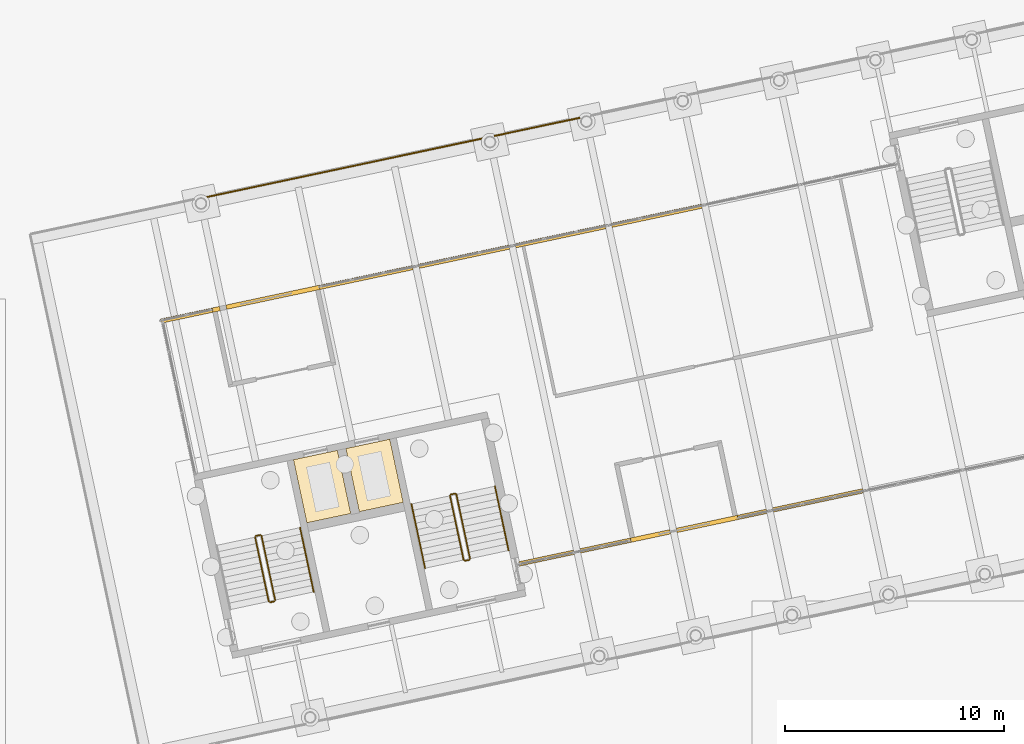
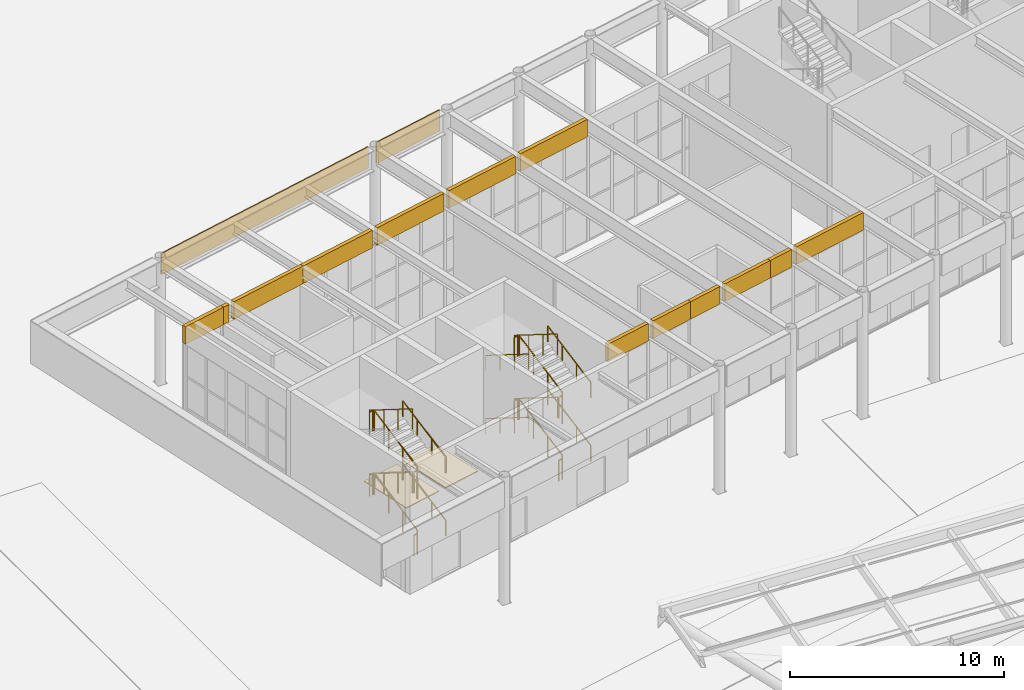
# One storey, part 204 of 239: 22 railings, 17 coverings.
"""IFC4 building model written with IfcOpenShell, lengths in metres."""

from ifc_helpers import new_model, si_unit, direction, frame, origin, origin_2d, place, context, subcontext, project, spatial, polyline, rectangle, circle, outline, extrude, material, layer, layer_set, type_object, element, save


model = new_model("IFC4")

# Units and contexts
model_context = context("Model", 3, precision=1e-05, world=origin(), true_north=direction((0.0, 1.0)))
body_context = subcontext(model_context, "Body", "Model", "MODEL_VIEW")
ifc_project = project(units=[si_unit("LENGTHUNIT", "METRE"), si_unit("AREAUNIT", "SQUARE_METRE"), si_unit("VOLUMEUNIT", "CUBIC_METRE"), si_unit("PLANEANGLEUNIT", "RADIAN"), si_unit("MASSUNIT", "GRAM", prefix="KILO")], contexts=[model_context])

# Site, building, storey
site_placement = place(None, origin())
site = spatial("IfcSite", under=ifc_project, at=site_placement, CompositionType="ELEMENT")
building_placement = place(site_placement, origin())
building = spatial("IfcBuilding", under=site, at=building_placement, Name="Okhra Congress Centre", CompositionType="ELEMENT")
storey_placement = place(building_placement, origin())
storey = spatial("IfcBuildingStorey", under=building, at=storey_placement, Name="L00", CompositionType="ELEMENT", Elevation=0.0)

# Coverings
ifc_material_1 = material(Name="Dark bronze anodised aluminium fascia panel", Category="aluminium")
ifc_layer_1 = layer(ifc_material_1, 0.06005859375)
ifc_layer_set_1 = layer_set([ifc_layer_1], Name="Dark bronze fascia strip 60")
covering_type_1 = type_object("IfcCoveringType", Name="Dark bronze fascia strip 60", PredefinedType="CLADDING", material=ifc_layer_set_1)
covering_1_placement = place(storey_placement, frame((71.379150390625, 53.784423828125, 5.85009765625), z_axis=(0.0, 0.0, 1.0), x_axis=(0.978147600734, 0.207911690818, 0.0)))
element("IfcCovering", 1, at=covering_1_placement, inside=storey, type_object=covering_type_1, Name="Girder fascia strip", PredefinedType="CLADDING", context=body_context, shape_type="SweptSolid", body=[
    extrude(rectangle(XDim=12.991943359375, YDim=0.06005859375, at=origin_2d()), origin(), (0.0, 0.0, 1.0), 1.199951171875),
])
covering_2_placement = place(storey_placement, frame((80.182373046875, 55.655517578125, 5.85009765625), z_axis=(0.0, 0.0, 1.0), x_axis=(0.978147600734, 0.207911690818, 0.0)))
element("IfcCovering", 2, at=covering_2_placement, inside=storey, type_object=covering_type_1, Name="Girder fascia strip", PredefinedType="CLADDING", context=body_context, shape_type="SweptSolid", body=[
    extrude(rectangle(XDim=3.991943359375, YDim=0.06005859375, at=origin_2d()), origin(), (0.0, 0.0, 1.0), 1.199951171875),
])
ifc_material_2 = material(Name="Insulated metal sandwich panel (mineral wool core)")
ifc_layer_2 = layer(ifc_material_2, 0.199951171875)
ifc_layer_set_2 = layer_set([ifc_layer_2], Name="Insulated fascia cladding panel 200")
covering_type_2 = type_object("IfcCoveringType", Name="Insulated fascia cladding panel 200", PredefinedType="CLADDING", material=ifc_layer_set_2)
covering_3_placement = place(storey_placement, frame((80.61181640625, 35.95947265625, 6.050048828125), z_axis=(0.0, 0.0, 1.0), x_axis=(0.978147600734, 0.207911690818, 0.0)))
element("IfcCovering", 3, at=covering_3_placement, inside=storey, type_object=covering_type_2, Name="Fascia over glazing", PredefinedType="CLADDING", context=body_context, shape_type="SweptSolid", body=[
    extrude(rectangle(XDim=2.550048828125, YDim=0.199951171875, at=origin_2d()), origin(), (0.0, 0.0, 1.0), 1.0),
])
covering_4_placement = place(storey_placement, frame((83.3017578125, 36.53125, 6.050048828125), z_axis=(0.0, 0.0, 1.0), x_axis=(0.978147600734, 0.207911690818, 0.0)))
element("IfcCovering", 4, at=covering_4_placement, inside=storey, type_object=covering_type_2, Name="Fascia over glazing", PredefinedType="CLADDING", context=body_context, shape_type="SweptSolid", body=[
    extrude(rectangle(XDim=2.35009765625, YDim=0.199951171875, at=origin_2d()), origin(), (0.0, 0.0, 1.0), 1.0),
])
covering_5_placement = place(storey_placement, frame((90.002197265625, 37.955322265625, 6.050048828125), z_axis=(0.0, 0.0, 1.0), x_axis=(0.978147600734, 0.207911690818, 0.0)))
element("IfcCovering", 5, at=covering_5_placement, inside=storey, type_object=covering_type_2, Name="Fascia over glazing", PredefinedType="CLADDING", context=body_context, shape_type="SweptSolid", body=[
    extrude(rectangle(XDim=1.35009765625, YDim=0.199951171875, at=origin_2d()), origin(), (0.0, 0.0, 1.0), 1.0),
])
covering_6_placement = place(storey_placement, frame((93.010009765625, 38.5947265625, 6.050048828125), z_axis=(0.0, 0.0, 1.0), x_axis=(0.978147600734, 0.207911690818, 0.0)))
element("IfcCovering", 6, at=covering_6_placement, inside=storey, type_object=covering_type_2, Name="Fascia over glazing", PredefinedType="CLADDING", context=body_context, shape_type="SweptSolid", body=[
    extrude(rectangle(XDim=4.199951171875, YDim=0.199951171875, at=origin_2d()), origin(), (0.0, 0.0, 1.0), 1.0),
])
covering_7_placement = place(storey_placement, frame((64.175048828125, 47.0341796875, 6.050048828125), z_axis=(0.0, 0.0, 1.0), x_axis=(0.978147600734, 0.207911690818, 0.0)))
element("IfcCovering", 7, at=covering_7_placement, inside=storey, type_object=covering_type_2, Name="Fascia over glazing", PredefinedType="CLADDING", context=body_context, shape_type="SweptSolid", body=[
    extrude(rectangle(XDim=2.39990234375, YDim=0.199951171875, at=origin_2d()), origin(), (0.0, 0.0, 1.0), 1.0),
])
covering_8_placement = place(storey_placement, frame((72.3671875, 48.775390625, 6.050048828125), z_axis=(0.0, 0.0, 1.0), x_axis=(0.978147600734, 0.207911690818, 0.0)))
element("IfcCovering", 8, at=covering_8_placement, inside=storey, type_object=covering_type_2, Name="Fascia over glazing", PredefinedType="CLADDING", context=body_context, shape_type="SweptSolid", body=[
    extrude(rectangle(XDim=4.35009765625, YDim=0.199951171875, at=origin_2d()), origin(), (0.0, 0.0, 1.0), 1.0),
])
for number, where, z_axis, x_axis, name in (
    (9, (76.84228515625, 49.7265625, 6.050048828125), (0.0, 0.0, 1.0), (0.978147600734, 0.207911690818, 0.0), "Fascia over glazing"),
    (10, (81.243896484375, 50.662109375, 6.050048828125), (0.0, 0.0, 1.0), (0.978147600734, 0.207911690818, 0.0), "Fascia over glazing"),
    (11, (85.6455078125, 51.59765625, 6.050048828125), (0.0, 0.0, 1.0), (0.978147600734, 0.207911690818, 0.0), "Fascia over glazing"),
):
    element("IfcCovering", number, at=place(storey_placement, frame(where, z_axis=z_axis, x_axis=x_axis)), inside=storey, type_object=covering_type_2, Name=name, PredefinedType="CLADDING", context=body_context, shape_type="SweptSolid", body=[
        extrude(rectangle(XDim=4.199951171875, YDim=0.199951171875, at=origin_2d()), origin(), (0.0, 0.0, 1.0), 1.0),
    ])
covering_9_placement = place(storey_placement, frame((85.35595703125, 36.9677734375, 6.050048828125), z_axis=(0.0, 0.0, 1.0), x_axis=(0.978147600734, 0.207911690818, 0.0)))
element("IfcCovering", 12, at=covering_9_placement, inside=storey, type_object=covering_type_2, Name="Fascia over glazing", PredefinedType="CLADDING", context=body_context, shape_type="SweptSolid", body=[
    extrude(rectangle(XDim=1.85009765625, YDim=0.199951171875, at=origin_2d()), origin(), (0.0, 0.0, 1.0), 1.0),
])
covering_10_placement = place(storey_placement, frame((87.947998046875, 37.518798828125, 6.050048828125), z_axis=(0.0, 0.0, 1.0), x_axis=(0.978147600734, 0.207911690818, 0.0)))
element("IfcCovering", 13, at=covering_10_placement, inside=storey, type_object=covering_type_2, Name="Fascia over glazing", PredefinedType="CLADDING", context=body_context, shape_type="SweptSolid", body=[
    extrude(rectangle(XDim=2.85009765625, YDim=0.199951171875, at=origin_2d()), origin(), (0.0, 0.0, 1.0), 1.0),
])
covering_11_placement = place(storey_placement, frame((65.52001953125, 47.31982421875, 6.050048828125), z_axis=(0.0, 0.0, 1.0), x_axis=(0.978147600734, 0.207911690818, 0.0)))
element("IfcCovering", 14, at=covering_11_placement, inside=storey, type_object=covering_type_2, Name="Fascia over glazing", PredefinedType="CLADDING", context=body_context, shape_type="SweptSolid", body=[
    extrude(rectangle(XDim=0.35009765625, YDim=0.199951171875, at=origin_2d()), origin(), (0.0, 0.0, 1.0), 1.0),
])
covering_12_placement = place(storey_placement, frame((68.1123046875, 47.870849609375, 6.050048828125), z_axis=(0.0, 0.0, 1.0), x_axis=(0.978147600734, 0.207911690818, 0.0)))
element("IfcCovering", 15, at=covering_12_placement, inside=storey, type_object=covering_type_2, Name="Fascia over glazing", PredefinedType="CLADDING", context=body_context, shape_type="SweptSolid", body=[
    extrude(rectangle(XDim=4.35009765625, YDim=0.199951171875, at=origin_2d()), origin(), (0.0, 0.0, 1.0), 1.0),
])
ifc_material_3 = material(Name="Compacted engineered fill with topsoil and grass or paving bed")
ifc_layer_3 = layer(ifc_material_3, 0.050048828125)
ifc_layer_set_3 = layer_set([ifc_layer_3], Name="Site ground surface (engineered fill and landscape)")
covering_type_3 = type_object("IfcCoveringType", Name="Site ground surface (engineered fill and landscape)", PredefinedType="FLOORING", material=ifc_layer_set_3)
covering_13_placement = place(storey_placement, frame((0.0, 0.0, -0.10009765625)))
element("IfcCovering", 16, at=covering_13_placement, inside=storey, type_object=covering_type_3, Name="Site ground surface (engineered fill and landscape) 7", PredefinedType="FLOORING", context=body_context, shape_type="SweptSolid", body=[
    extrude(outline(polyline([(71.054443359375, 40.87939453125), (69.050537109375, 40.453369140625), (69.66357421875, 37.56884765625), (71.66748046875, 37.994873046875), (71.054443359375, 40.87939453125)])), origin(), (0.0, 0.0, 1.0), 0.050048828125),
])
covering_14_placement = place(storey_placement, frame((0.0, 0.0, -0.10009765625)))
element("IfcCovering", 17, at=covering_14_placement, inside=storey, type_object=covering_type_3, Name="Site ground surface (engineered fill and landscape) 8", PredefinedType="FLOORING", context=body_context, shape_type="SweptSolid", body=[
    extrude(outline(polyline([(71.447021484375, 40.962646484375), (72.06005859375, 38.078369140625), (74.064208984375, 38.50439453125), (73.450927734375, 41.388671875), (71.447021484375, 40.962646484375)])), origin(), (0.0, 0.0, 1.0), 0.050048828125),
])

# Railings
ifc_material_4 = material(Name="Painted steel tube handrail on wall brackets", Category="steel")
railing_type_1 = type_object("IfcRailingType", Name="Steel handrail 900", PredefinedType="HANDRAIL", material=ifc_material_4)
railing_1_placement = place(storey_placement, frame((69.975830078125, 34.414306640625, 0.16357421875)))
element("IfcRailing", 18, at=railing_1_placement, inside=storey, type_object=railing_type_1, Name="L00 BS1A stair handrail 1", PredefinedType="HANDRAIL", context=body_context, shape_type="SweptSolid", body=[
    extrude(circle(Radius=0.02392578125, at=origin_2d()), frame((0.0, 0.0, 0.8759765625), z_axis=(-0.182539774255, 0.858687102456, 0.478890061383), x_axis=(-0.978142921837, -0.207933702079, 0.0)), (0.0, 0.0, 1.0), 3.417236328125),
    extrude(circle(Radius=0.02099609375, at=origin_2d()), origin(), (0.0, 0.0, 1.0), 0.851806640625),
    extrude(circle(Radius=0.02099609375, at=origin_2d()), frame((-0.2080078125, 0.97802734375, 0.54541015625)), (0.0, 0.0, 1.0), 0.851806640625),
    extrude(circle(Radius=0.02099609375, at=origin_2d()), frame((-0.415771484375, 1.956298828125, 1.091064453125)), (0.0, 0.0, 1.0), 0.851806640625),
    extrude(circle(Radius=0.02099609375, at=origin_2d()), frame((-0.623779296875, 2.934326171875, 1.636474609375)), (0.0, 0.0, 1.0), 0.851806640625),
])
railing_2_placement = place(storey_placement, frame((69.975830078125, 34.414306640625, 3.763671875)))
element("IfcRailing", 19, at=railing_2_placement, inside=storey, type_object=railing_type_1, Name="L00 BS1A stair handrail 3", PredefinedType="HANDRAIL", context=body_context, shape_type="SweptSolid", body=[
    extrude(circle(Radius=0.02392578125, at=origin_2d()), frame((0.0, 0.0, 0.8759765625), z_axis=(-0.182546019505, 0.858716480796, 0.478834999109), x_axis=(-0.978142921837, -0.207933702079, 0.0)), (0.0, 0.0, 1.0), 3.4169921875),
    extrude(circle(Radius=0.02099609375, at=origin_2d()), origin(), (0.0, 0.0, 1.0), 0.851806640625),
    extrude(circle(Radius=0.02099609375, at=origin_2d()), frame((-0.2080078125, 0.97802734375, 0.54541015625)), (0.0, 0.0, 1.0), 0.851806640625),
    extrude(circle(Radius=0.02099609375, at=origin_2d()), frame((-0.415771484375, 1.956298828125, 1.0908203125)), (0.0, 0.0, 1.0), 0.851806640625),
    extrude(circle(Radius=0.02099609375, at=origin_2d()), frame((-0.623779296875, 2.934326171875, 1.63623046875)), (0.0, 0.0, 1.0), 0.851806640625),
])
railing_3_placement = place(storey_placement, frame((78.876953125, 36.306396484375, 0.16357421875)))
element("IfcRailing", 20, at=railing_3_placement, inside=storey, type_object=railing_type_1, Name="L00 BS1B stair handrail 1", PredefinedType="HANDRAIL", context=body_context, shape_type="SweptSolid", body=[
    extrude(circle(Radius=0.02392578125, at=origin_2d()), frame((0.0, 0.0, 0.8759765625), z_axis=(-0.182539774255, 0.858687102456, 0.478890061383), x_axis=(-0.978142921837, -0.207933702079, 0.0)), (0.0, 0.0, 1.0), 3.417236328125),
    extrude(circle(Radius=0.02099609375, at=origin_2d()), origin(), (0.0, 0.0, 1.0), 0.851806640625),
    extrude(circle(Radius=0.02099609375, at=origin_2d()), frame((-0.2080078125, 0.97802734375, 0.54541015625)), (0.0, 0.0, 1.0), 0.851806640625),
    extrude(circle(Radius=0.02099609375, at=origin_2d()), frame((-0.415771484375, 1.956298828125, 1.091064453125)), (0.0, 0.0, 1.0), 0.851806640625),
    extrude(circle(Radius=0.02099609375, at=origin_2d()), frame((-0.623779296875, 2.934326171875, 1.636474609375)), (0.0, 0.0, 1.0), 0.851806640625),
])
railing_4_placement = place(storey_placement, frame((74.438232421875, 38.429931640625, 1.963623046875)))
element("IfcRailing", 21, at=railing_4_placement, inside=storey, type_object=railing_type_1, Name="L00 BS1B stair handrail 2", PredefinedType="HANDRAIL", context=body_context, shape_type="SweptSolid", body=[
    extrude(circle(Radius=0.02392578125, at=origin_2d()), frame((0.0, 0.0, 0.8759765625), z_axis=(0.182528576341, -0.858705865993, 0.47886068384), x_axis=(0.978146440129, 0.207917150959, 0.0)), (0.0, 0.0, 1.0), 3.41748046875),
    extrude(circle(Radius=0.02099609375, at=origin_2d()), origin(), (0.0, 0.0, 1.0), 0.851806640625),
    extrude(circle(Radius=0.02099609375, at=origin_2d()), frame((0.2080078125, -0.978271484375, 0.54541015625)), (0.0, 0.0, 1.0), 0.851806640625),
    extrude(circle(Radius=0.02099609375, at=origin_2d()), frame((0.415771484375, -1.956298828125, 1.091064453125)), (0.0, 0.0, 1.0), 0.851806640625),
    extrude(circle(Radius=0.02099609375, at=origin_2d()), frame((0.623779296875, -2.9345703125, 1.636474609375)), (0.0, 0.0, 1.0), 0.851806640625),
])
railing_5_placement = place(storey_placement, frame((78.876953125, 36.306396484375, 3.763671875)))
element("IfcRailing", 22, at=railing_5_placement, inside=storey, type_object=railing_type_1, Name="L00 BS1B stair handrail 3", PredefinedType="HANDRAIL", context=body_context, shape_type="SweptSolid", body=[
    extrude(circle(Radius=0.02392578125, at=origin_2d()), frame((0.0, 0.0, 0.8759765625), z_axis=(-0.182546019505, 0.858716480796, 0.478834999109), x_axis=(-0.978142921837, -0.207933702079, 0.0)), (0.0, 0.0, 1.0), 3.4169921875),
    extrude(circle(Radius=0.02099609375, at=origin_2d()), origin(), (0.0, 0.0, 1.0), 0.851806640625),
    extrude(circle(Radius=0.02099609375, at=origin_2d()), frame((-0.2080078125, 0.97802734375, 0.54541015625)), (0.0, 0.0, 1.0), 0.851806640625),
    extrude(circle(Radius=0.02099609375, at=origin_2d()), frame((-0.415771484375, 1.956298828125, 1.0908203125)), (0.0, 0.0, 1.0), 0.851806640625),
    extrude(circle(Radius=0.02099609375, at=origin_2d()), frame((-0.623779296875, 2.934326171875, 1.63623046875)), (0.0, 0.0, 1.0), 0.851806640625),
])
railing_6_placement = place(storey_placement, frame((74.438232421875, 38.429931640625, 5.563720703125)))
element("IfcRailing", 23, at=railing_6_placement, inside=storey, type_object=railing_type_1, Name="L00 BS1B stair handrail 4", PredefinedType="HANDRAIL", context=body_context, shape_type="SweptSolid", body=[
    extrude(circle(Radius=0.02392578125, at=origin_2d()), frame((0.0, 0.0, 0.8759765625), z_axis=(0.182534820441, -0.858735241371, 0.478805622934), x_axis=(0.978146440129, 0.207917150959, 0.0)), (0.0, 0.0, 1.0), 3.417236328125),
    extrude(circle(Radius=0.02099609375, at=origin_2d()), origin(), (0.0, 0.0, 1.0), 0.851806640625),
    extrude(circle(Radius=0.02099609375, at=origin_2d()), frame((0.2080078125, -0.978271484375, 0.54541015625)), (0.0, 0.0, 1.0), 0.851806640625),
    extrude(circle(Radius=0.02099609375, at=origin_2d()), frame((0.415771484375, -1.956298828125, 1.0908203125)), (0.0, 0.0, 1.0), 0.851806640625),
    extrude(circle(Radius=0.02099609375, at=origin_2d()), frame((0.623779296875, -2.9345703125, 1.63623046875)), (0.0, 0.0, 1.0), 0.851806640625),
])
ifc_material_5 = material(Name="Painted steel tube guard with vertical steel balusters", Category="steel")
railing_type_2 = type_object("IfcRailingType", Name="Steel stair guard 1200", PredefinedType="GUARDRAIL", material=ifc_material_5)
railing_7_placement = place(storey_placement, frame((68.215087890625, 34.0400390625, 0.16357421875)))
element("IfcRailing", 24, at=railing_7_placement, inside=storey, type_object=railing_type_2, Name="L00 BS1A stair guard 1", PredefinedType="GUARDRAIL", context=body_context, shape_type="SweptSolid", body=[
    extrude(circle(Radius=0.02392578125, at=origin_2d()), frame((0.0, 0.0, 1.17578125), z_axis=(-0.182528576341, 0.858705865993, 0.47886068384), x_axis=(-0.978146440129, -0.207917150959, 0.0)), (0.0, 0.0, 1.0), 3.41748046875),
    extrude(circle(Radius=0.02099609375, at=origin_2d()), origin(), (0.0, 0.0, 1.0), 1.15185546875),
    extrude(circle(Radius=0.02099609375, at=origin_2d()), frame((-0.2080078125, 0.978271484375, 0.54541015625)), (0.0, 0.0, 1.0), 1.15185546875),
    extrude(circle(Radius=0.02099609375, at=origin_2d()), frame((-0.415771484375, 1.956298828125, 1.091064453125)), (0.0, 0.0, 1.0), 1.15185546875),
    extrude(circle(Radius=0.02099609375, at=origin_2d()), frame((-0.623779296875, 2.9345703125, 1.636474609375)), (0.0, 0.0, 1.0), 1.15185546875),
])
railing_8_placement = place(storey_placement, frame((67.531982421875, 37.012939453125, 1.800048828125)))
element("IfcRailing", 25, at=railing_8_placement, inside=storey, type_object=railing_type_2, Name="L00 BS1A stair guard 2", PredefinedType="GUARDRAIL", context=body_context, shape_type="SweptSolid", body=[
    extrude(circle(Radius=0.02392578125, at=origin_2d()), frame((0.0, 0.0, 1.17578125), z_axis=(-0.978211583308, -0.207610448392, 0.0), x_axis=(0.207610448392, -0.978211583308, 0.0)), (0.0, 0.0, 1.0), 0.199951171875),
    extrude(circle(Radius=0.02099609375, at=origin_2d()), origin(), (0.0, 0.0, 1.0), 1.15185546875),
    extrude(circle(Radius=0.02099609375, at=origin_2d()), frame((-0.195556640625, -0.04150390625, 0.0)), (0.0, 0.0, 1.0), 1.15185546875),
])
railing_9_placement = place(storey_placement, frame((67.2978515625, 36.912109375, 1.963623046875)))
element("IfcRailing", 26, at=railing_9_placement, inside=storey, type_object=railing_type_2, Name="L00 BS1A stair guard 3", PredefinedType="GUARDRAIL", context=body_context, shape_type="SweptSolid", body=[
    extrude(circle(Radius=0.02392578125, at=origin_2d()), frame((0.0, 0.0, 1.17578125), z_axis=(0.182539774255, -0.858687102456, 0.478890061383), x_axis=(0.978142921837, 0.207933702079, 0.0)), (0.0, 0.0, 1.0), 3.417236328125),
    extrude(circle(Radius=0.02099609375, at=origin_2d()), origin(), (0.0, 0.0, 1.0), 1.15185546875),
    extrude(circle(Radius=0.02099609375, at=origin_2d()), frame((0.2080078125, -0.97802734375, 0.54541015625)), (0.0, 0.0, 1.0), 1.15185546875),
    extrude(circle(Radius=0.02099609375, at=origin_2d()), frame((0.415771484375, -1.956298828125, 1.091064453125)), (0.0, 0.0, 1.0), 1.15185546875),
    extrude(circle(Radius=0.02099609375, at=origin_2d()), frame((0.623779296875, -2.934326171875, 1.636474609375)), (0.0, 0.0, 1.0), 1.15185546875),
])
railing_10_placement = place(storey_placement, frame((68.176513671875, 33.980712890625, 3.60009765625)))
element("IfcRailing", 27, at=railing_10_placement, inside=storey, type_object=railing_type_2, Name="L00 BS1A stair guard 4", PredefinedType="GUARDRAIL", context=body_context, shape_type="SweptSolid", body=[
    extrude(circle(Radius=0.02392578125, at=origin_2d()), frame((0.0, 0.0, 1.17578125), z_axis=(-0.978211583308, -0.207610448392, 0.0), x_axis=(0.207610448392, -0.978211583308, 0.0)), (0.0, 0.0, 1.0), 0.199951171875),
    extrude(circle(Radius=0.02099609375, at=origin_2d()), origin(), (0.0, 0.0, 1.0), 1.15185546875),
    extrude(circle(Radius=0.02099609375, at=origin_2d()), frame((-0.195556640625, -0.04150390625, 0.0)), (0.0, 0.0, 1.0), 1.15185546875),
])
railing_11_placement = place(storey_placement, frame((68.215087890625, 34.0400390625, 3.763671875)))
element("IfcRailing", 28, at=railing_11_placement, inside=storey, type_object=railing_type_2, Name="L00 BS1A stair guard 5", PredefinedType="GUARDRAIL", context=body_context, shape_type="SweptSolid", body=[
    extrude(circle(Radius=0.02392578125, at=origin_2d()), frame((0.0, 0.0, 1.17578125), z_axis=(-0.182534820441, 0.858735241371, 0.478805622934), x_axis=(-0.978146440129, -0.207917150959, 0.0)), (0.0, 0.0, 1.0), 3.417236328125),
    extrude(circle(Radius=0.02099609375, at=origin_2d()), origin(), (0.0, 0.0, 1.0), 1.15185546875),
    extrude(circle(Radius=0.02099609375, at=origin_2d()), frame((-0.2080078125, 0.978271484375, 0.54541015625)), (0.0, 0.0, 1.0), 1.15185546875),
    extrude(circle(Radius=0.02099609375, at=origin_2d()), frame((-0.415771484375, 1.956298828125, 1.0908203125)), (0.0, 0.0, 1.0), 1.15185546875),
    extrude(circle(Radius=0.02099609375, at=origin_2d()), frame((-0.623779296875, 2.9345703125, 1.63623046875)), (0.0, 0.0, 1.0), 1.15185546875),
])
railing_12_placement = place(storey_placement, frame((67.531982421875, 37.012939453125, 5.39990234375)))
element("IfcRailing", 29, at=railing_12_placement, inside=storey, type_object=railing_type_2, Name="L00 BS1A stair guard 6", PredefinedType="GUARDRAIL", context=body_context, shape_type="SweptSolid", body=[
    extrude(circle(Radius=0.02392578125, at=origin_2d()), frame((0.0, 0.0, 1.17578125), z_axis=(-0.978211583308, -0.207610448392, 0.0), x_axis=(0.207610448392, -0.978211583308, 0.0)), (0.0, 0.0, 1.0), 0.199951171875),
    extrude(circle(Radius=0.02099609375, at=origin_2d()), origin(), (0.0, 0.0, 1.0), 1.15185546875),
    extrude(circle(Radius=0.02099609375, at=origin_2d()), frame((-0.195556640625, -0.04150390625, 0.0)), (0.0, 0.0, 1.0), 1.15185546875),
])
railing_13_placement = place(storey_placement, frame((67.2978515625, 36.912109375, 5.563720703125)))
element("IfcRailing", 30, at=railing_13_placement, inside=storey, type_object=railing_type_2, Name="L00 BS1A stair guard 7", PredefinedType="GUARDRAIL", context=body_context, shape_type="SweptSolid", body=[
    extrude(circle(Radius=0.02392578125, at=origin_2d()), frame((0.0, 0.0, 1.17578125), z_axis=(0.182546019505, -0.858716480796, 0.478834999109), x_axis=(0.978142921837, 0.207933702079, 0.0)), (0.0, 0.0, 1.0), 3.4169921875),
    extrude(circle(Radius=0.02099609375, at=origin_2d()), origin(), (0.0, 0.0, 1.0), 1.15185546875),
    extrude(circle(Radius=0.02099609375, at=origin_2d()), frame((0.2080078125, -0.97802734375, 0.54541015625)), (0.0, 0.0, 1.0), 1.15185546875),
    extrude(circle(Radius=0.02099609375, at=origin_2d()), frame((0.415771484375, -1.956298828125, 1.0908203125)), (0.0, 0.0, 1.0), 1.15185546875),
    extrude(circle(Radius=0.02099609375, at=origin_2d()), frame((0.623779296875, -2.934326171875, 1.63623046875)), (0.0, 0.0, 1.0), 1.15185546875),
])
railing_14_placement = place(storey_placement, frame((68.176513671875, 33.980712890625, 0.0)))
element("IfcRailing", 31, at=railing_14_placement, inside=storey, type_object=railing_type_2, Name="L00 BS1A stair guard 8", PredefinedType="GUARDRAIL", context=body_context, shape_type="SweptSolid", body=[
    extrude(circle(Radius=0.02392578125, at=origin_2d()), frame((0.0, 0.0, 1.17578125), z_axis=(-0.978211583308, -0.207610448392, 0.0), x_axis=(0.207610448392, -0.978211583308, 0.0)), (0.0, 0.0, 1.0), 0.199951171875),
    extrude(circle(Radius=0.02099609375, at=origin_2d()), origin(), (0.0, 0.0, 1.0), 1.15185546875),
    extrude(circle(Radius=0.02099609375, at=origin_2d()), frame((-0.195556640625, -0.04150390625, 0.0)), (0.0, 0.0, 1.0), 1.15185546875),
])
railing_15_placement = place(storey_placement, frame((77.1162109375, 35.93212890625, 0.16357421875)))
element("IfcRailing", 32, at=railing_15_placement, inside=storey, type_object=railing_type_2, Name="L00 BS1B stair guard 1", PredefinedType="GUARDRAIL", context=body_context, shape_type="SweptSolid", body=[
    extrude(circle(Radius=0.02392578125, at=origin_2d()), frame((0.0, 0.0, 1.17578125), z_axis=(-0.182539774255, 0.858687102456, 0.478890061383), x_axis=(-0.978142921837, -0.207933702079, 0.0)), (0.0, 0.0, 1.0), 3.417236328125),
    extrude(circle(Radius=0.02099609375, at=origin_2d()), origin(), (0.0, 0.0, 1.0), 1.15185546875),
    extrude(circle(Radius=0.02099609375, at=origin_2d()), frame((-0.2080078125, 0.97802734375, 0.54541015625)), (0.0, 0.0, 1.0), 1.15185546875),
    extrude(circle(Radius=0.02099609375, at=origin_2d()), frame((-0.415771484375, 1.956298828125, 1.091064453125)), (0.0, 0.0, 1.0), 1.15185546875),
    extrude(circle(Radius=0.02099609375, at=origin_2d()), frame((-0.623779296875, 2.934326171875, 1.636474609375)), (0.0, 0.0, 1.0), 1.15185546875),
])
railing_16_placement = place(storey_placement, frame((76.43310546875, 38.905029296875, 1.800048828125)))
element("IfcRailing", 33, at=railing_16_placement, inside=storey, type_object=railing_type_2, Name="L00 BS1B stair guard 2", PredefinedType="GUARDRAIL", context=body_context, shape_type="SweptSolid", body=[
    extrude(circle(Radius=0.02392578125, at=origin_2d()), frame((0.0, 0.0, 1.17578125), z_axis=(-0.978211583308, -0.207610448392, 0.0), x_axis=(0.207610448392, -0.978211583308, 0.0)), (0.0, 0.0, 1.0), 0.199951171875),
    extrude(circle(Radius=0.02099609375, at=origin_2d()), origin(), (0.0, 0.0, 1.0), 1.15185546875),
    extrude(circle(Radius=0.02099609375, at=origin_2d()), frame((-0.195556640625, -0.04150390625, 0.0)), (0.0, 0.0, 1.0), 1.15185546875),
])
railing_17_placement = place(storey_placement, frame((76.198974609375, 38.80419921875, 1.963623046875)))
element("IfcRailing", 34, at=railing_17_placement, inside=storey, type_object=railing_type_2, Name="L00 BS1B stair guard 3", PredefinedType="GUARDRAIL", context=body_context, shape_type="SweptSolid", body=[
    extrude(circle(Radius=0.02392578125, at=origin_2d()), frame((0.0, 0.0, 1.17578125), z_axis=(0.182528576341, -0.858705865993, 0.47886068384), x_axis=(0.978146440129, 0.207917150959, 0.0)), (0.0, 0.0, 1.0), 3.41748046875),
    extrude(circle(Radius=0.02099609375, at=origin_2d()), origin(), (0.0, 0.0, 1.0), 1.15185546875),
    extrude(circle(Radius=0.02099609375, at=origin_2d()), frame((0.2080078125, -0.978271484375, 0.54541015625)), (0.0, 0.0, 1.0), 1.15185546875),
    extrude(circle(Radius=0.02099609375, at=origin_2d()), frame((0.415771484375, -1.956298828125, 1.091064453125)), (0.0, 0.0, 1.0), 1.15185546875),
    extrude(circle(Radius=0.02099609375, at=origin_2d()), frame((0.623779296875, -2.9345703125, 1.636474609375)), (0.0, 0.0, 1.0), 1.15185546875),
])
railing_18_placement = place(storey_placement, frame((77.07763671875, 35.872802734375, 3.60009765625)))
element("IfcRailing", 35, at=railing_18_placement, inside=storey, type_object=railing_type_2, Name="L00 BS1B stair guard 4", PredefinedType="GUARDRAIL", context=body_context, shape_type="SweptSolid", body=[
    extrude(circle(Radius=0.02392578125, at=origin_2d()), frame((0.0, 0.0, 1.17578125), z_axis=(-0.977962931203, -0.208778603291, 0.0), x_axis=(0.208778603291, -0.977962931203, 0.0)), (0.0, 0.0, 1.0), 0.199951171875),
    extrude(circle(Radius=0.02099609375, at=origin_2d()), origin(), (0.0, 0.0, 1.0), 1.15185546875),
    extrude(circle(Radius=0.02099609375, at=origin_2d()), frame((-0.195556640625, -0.041748046875, 0.0)), (0.0, 0.0, 1.0), 1.15185546875),
])
railing_19_placement = place(storey_placement, frame((77.1162109375, 35.93212890625, 3.763671875)))
element("IfcRailing", 36, at=railing_19_placement, inside=storey, type_object=railing_type_2, Name="L00 BS1B stair guard 5", PredefinedType="GUARDRAIL", context=body_context, shape_type="SweptSolid", body=[
    extrude(circle(Radius=0.02392578125, at=origin_2d()), frame((0.0, 0.0, 1.17578125), z_axis=(-0.182546019505, 0.858716480796, 0.478834999109), x_axis=(-0.978142921837, -0.207933702079, 0.0)), (0.0, 0.0, 1.0), 3.4169921875),
    extrude(circle(Radius=0.02099609375, at=origin_2d()), origin(), (0.0, 0.0, 1.0), 1.15185546875),
    extrude(circle(Radius=0.02099609375, at=origin_2d()), frame((-0.2080078125, 0.97802734375, 0.54541015625)), (0.0, 0.0, 1.0), 1.15185546875),
    extrude(circle(Radius=0.02099609375, at=origin_2d()), frame((-0.415771484375, 1.956298828125, 1.0908203125)), (0.0, 0.0, 1.0), 1.15185546875),
    extrude(circle(Radius=0.02099609375, at=origin_2d()), frame((-0.623779296875, 2.934326171875, 1.63623046875)), (0.0, 0.0, 1.0), 1.15185546875),
])
railing_20_placement = place(storey_placement, frame((76.43310546875, 38.905029296875, 5.39990234375)))
element("IfcRailing", 37, at=railing_20_placement, inside=storey, type_object=railing_type_2, Name="L00 BS1B stair guard 6", PredefinedType="GUARDRAIL", context=body_context, shape_type="SweptSolid", body=[
    extrude(circle(Radius=0.02392578125, at=origin_2d()), frame((0.0, 0.0, 1.17578125), z_axis=(-0.978211583308, -0.207610448392, 0.0), x_axis=(0.207610448392, -0.978211583308, 0.0)), (0.0, 0.0, 1.0), 0.199951171875),
    extrude(circle(Radius=0.02099609375, at=origin_2d()), origin(), (0.0, 0.0, 1.0), 1.15185546875),
    extrude(circle(Radius=0.02099609375, at=origin_2d()), frame((-0.195556640625, -0.04150390625, 0.0)), (0.0, 0.0, 1.0), 1.15185546875),
])
railing_21_placement = place(storey_placement, frame((76.198974609375, 38.80419921875, 5.563720703125)))
element("IfcRailing", 38, at=railing_21_placement, inside=storey, type_object=railing_type_2, Name="L00 BS1B stair guard 7", PredefinedType="GUARDRAIL", context=body_context, shape_type="SweptSolid", body=[
    extrude(circle(Radius=0.02392578125, at=origin_2d()), frame((0.0, 0.0, 1.17578125), z_axis=(0.182534820441, -0.858735241371, 0.478805622934), x_axis=(0.978146440129, 0.207917150959, 0.0)), (0.0, 0.0, 1.0), 3.417236328125),
    extrude(circle(Radius=0.02099609375, at=origin_2d()), origin(), (0.0, 0.0, 1.0), 1.15185546875),
    extrude(circle(Radius=0.02099609375, at=origin_2d()), frame((0.2080078125, -0.978271484375, 0.54541015625)), (0.0, 0.0, 1.0), 1.15185546875),
    extrude(circle(Radius=0.02099609375, at=origin_2d()), frame((0.415771484375, -1.956298828125, 1.0908203125)), (0.0, 0.0, 1.0), 1.15185546875),
    extrude(circle(Radius=0.02099609375, at=origin_2d()), frame((0.623779296875, -2.9345703125, 1.63623046875)), (0.0, 0.0, 1.0), 1.15185546875),
])
railing_22_placement = place(storey_placement, frame((77.07763671875, 35.872802734375, 0.0)))
element("IfcRailing", 39, at=railing_22_placement, inside=storey, type_object=railing_type_2, Name="L00 BS1B stair guard 8", PredefinedType="GUARDRAIL", context=body_context, shape_type="SweptSolid", body=[
    extrude(circle(Radius=0.02392578125, at=origin_2d()), frame((0.0, 0.0, 1.17578125), z_axis=(-0.977962931203, -0.208778603291, 0.0), x_axis=(0.208778603291, -0.977962931203, 0.0)), (0.0, 0.0, 1.0), 0.199951171875),
    extrude(circle(Radius=0.02099609375, at=origin_2d()), origin(), (0.0, 0.0, 1.0), 1.15185546875),
    extrude(circle(Radius=0.02099609375, at=origin_2d()), frame((-0.195556640625, -0.041748046875, 0.0)), (0.0, 0.0, 1.0), 1.15185546875),
])

save(model, "model.ifc")
